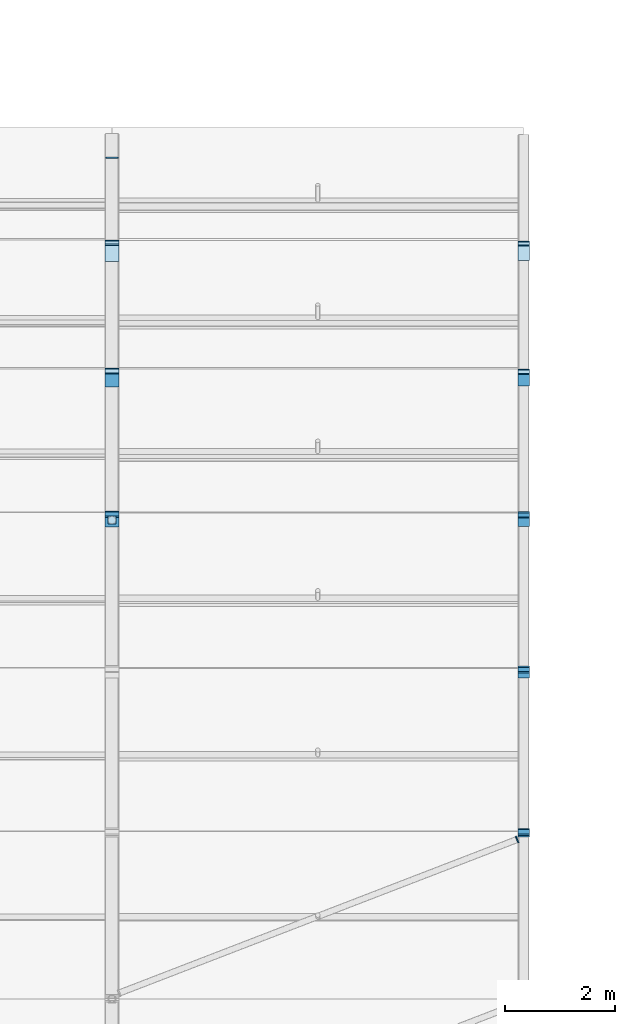
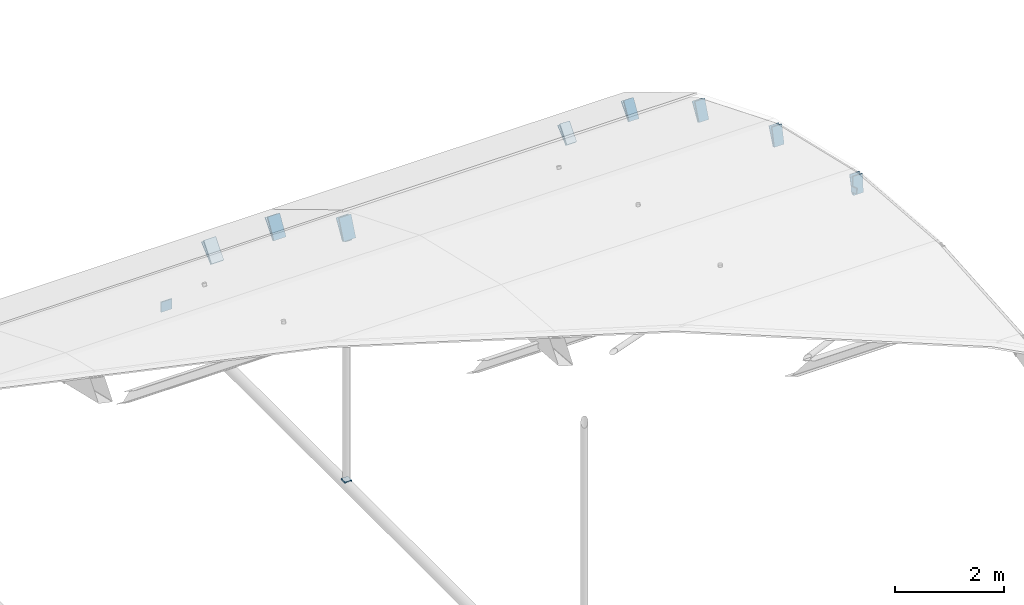
# One storey, part 55 of 77: 20 plates.
"""IFC4 building model written with IfcOpenShell, lengths in metres."""

from ifc_helpers import new_model, si_unit, direction, frame, origin, origin_2d, place, context, subcontext, project, spatial, rectangle, extrude, material, layer, layer_set, type_object, element, save


model = new_model("IFC4")

# Units and contexts
model_context = context("Model", 3, precision=1e-05, world=origin(), true_north=direction((0.0, 1.0)))
body_context = subcontext(model_context, "Body", "Model", "MODEL_VIEW")
ifc_project = project(units=[si_unit("LENGTHUNIT", "METRE"), si_unit("AREAUNIT", "SQUARE_METRE"), si_unit("VOLUMEUNIT", "CUBIC_METRE"), si_unit("PLANEANGLEUNIT", "RADIAN"), si_unit("MASSUNIT", "GRAM", prefix="KILO")], contexts=[model_context])

# Site, building, storey
site_placement = place(None, origin())
site = spatial("IfcSite", under=ifc_project, at=site_placement, CompositionType="ELEMENT")
building_placement = place(site_placement, origin())
building = spatial("IfcBuilding", under=site, at=building_placement, Name="Yukiwa Park Conservatory and Herbarium", CompositionType="ELEMENT")
storey_placement = place(building_placement, frame((0.0, 0.0, 13.199951171875)))
storey = spatial("IfcBuildingStorey", under=building, at=storey_placement, Name="L03", CompositionType="ELEMENT", Elevation=13.199951171875)

# Plates
ifc_material_1 = material(Name="Steel Q355D", Category="steel")
ifc_layer_1 = layer(ifc_material_1, 0.02392578125)
ifc_layer_set_1 = layer_set([ifc_layer_1], Name="Steel Q355D")
plate_type_1 = type_object("IfcPlateType", Name="PL-CAP-24", PredefinedType="USERDEFINED", material=ifc_layer_set_1)
for number, where, z_axis, x_axis, name in (
    (1, (52.5, 24.28369140625, 1.556396484375), (0.0, 0.926355609378, -0.376650082934), (-1.0, 0.0, 0.0), "Hollow section end cap plate CAP-RIB08-C09B"),
    (2, (52.5, 24.370361328125, 1.511474609375), (0.0, -0.854787515222, 0.518978134242), (1.0, 0.0, 0.0), "Hollow section end cap plate CAP-RIB08-C10A"),
):
    element("IfcPlate", number, at=place(storey_placement, frame(where, z_axis=z_axis, x_axis=x_axis)), inside=storey, type_object=plate_type_1, Name=name, ObjectType="END CAP PLATE", PredefinedType="USERDEFINED", context=body_context, shape_type="SweptSolid", body=[
        extrude(rectangle(XDim=0.258056640625, YDim=0.4580078125, at=origin_2d()), origin(), (0.0, 0.0, 1.0), 0.02392578125),
    ])
plate_1_placement = place(storey_placement, frame((52.5, 26.8671875, 0.01171875), z_axis=(0.0, 0.857492925713, -0.514495755428), x_axis=(-1.0, 0.0, 0.0)))
element("IfcPlate", 3, at=plate_1_placement, inside=storey, type_object=plate_type_1, Name="Hollow section end cap plate CAP-RIB08-C10B", ObjectType="END CAP PLATE", PredefinedType="USERDEFINED", context=body_context, shape_type="SweptSolid", body=[
    extrude(rectangle(XDim=0.258056640625, YDim=0.4580078125, at=origin_2d()), origin(), (0.0, 0.0, 1.0), 0.024169921875),
])
for number, where, z_axis, x_axis, name in (
    (4, (52.5, 26.946044921875, -0.046142578125), (0.0, -0.76570486479, 0.643192086423), (1.0, 0.0, 0.0), "Hollow section end cap plate CAP-RIB08-C11A"),
    (5, (52.5, 29.182373046875, -1.912353515625), (0.0, 0.76570486479, -0.643192086423), (-1.0, 0.0, 0.0), "Hollow section end cap plate CAP-RIB08-C11B"),
    (6, (52.5, 29.251220703125, -1.981689453125), (0.0, -0.659940990637, 0.751317435494), (1.0, 0.0, 0.0), "Hollow section end cap plate CAP-RIB08-C12A"),
):
    element("IfcPlate", number, at=place(storey_placement, frame(where, z_axis=z_axis, x_axis=x_axis)), inside=storey, type_object=plate_type_1, Name=name, ObjectType="END CAP PLATE", PredefinedType="USERDEFINED", context=body_context, shape_type="SweptSolid", body=[
        extrude(rectangle(XDim=0.258056640625, YDim=0.4580078125, at=origin_2d()), origin(), (0.0, 0.0, 1.0), 0.02392578125),
    ])
plate_2_placement = place(storey_placement, frame((60.0, 18.561767578125, 3.37060546875), z_axis=(0.0, 0.997458699831, -0.071247049988), x_axis=(-1.0, 0.0, 0.0)))
element("IfcPlate", 7, at=plate_2_placement, inside=storey, type_object=plate_type_1, Name="Hollow section end cap plate CAP-RIB09-C07B", ObjectType="END CAP PLATE", PredefinedType="USERDEFINED", context=body_context, shape_type="SweptSolid", body=[
    extrude(rectangle(XDim=0.2080078125, YDim=0.407958984375, at=origin_2d()), origin(), (0.0, 0.0, 1.0), 0.02392578125),
])
plate_3_placement = place(storey_placement, frame((60.0, 18.658203125, 3.354248046875), z_axis=(0.0, -0.972479178012, 0.232989803065), x_axis=(1.0, 0.0, 0.0)))
element("IfcPlate", 8, at=plate_3_placement, inside=storey, type_object=plate_type_1, Name="Hollow section end cap plate CAP-RIB09-C08A", ObjectType="END CAP PLATE", PredefinedType="USERDEFINED", context=body_context, shape_type="SweptSolid", body=[
    extrude(rectangle(XDim=0.2080078125, YDim=0.407958984375, at=origin_2d()), origin(), (0.0, 0.0, 1.0), 0.024169921875),
])
for number, where, z_axis, x_axis, name in (
    (9, (60.0, 21.492919921875, 2.68505859375), (0.0, 0.974732318528, -0.223376156329), (-1.0, 0.0, 0.0), "Hollow section end cap plate CAP-RIB09-C08B"),
    (10, (60.0, 21.585693359375, 2.654052734375), (0.0, -0.926355609378, 0.376650082934), (1.0, 0.0, 0.0), "Hollow section end cap plate CAP-RIB09-C09A"),
    (11, (60.0, 24.28369140625, 1.556396484375), (0.0, 0.926355609378, -0.376650082934), (-1.0, 0.0, 0.0), "Hollow section end cap plate CAP-RIB09-C09B"),
    (12, (60.0, 24.370361328125, 1.511474609375), (0.0, -0.854787515222, 0.518978134242), (1.0, 0.0, 0.0), "Hollow section end cap plate CAP-RIB09-C10A"),
):
    element("IfcPlate", number, at=place(storey_placement, frame(where, z_axis=z_axis, x_axis=x_axis)), inside=storey, type_object=plate_type_1, Name=name, ObjectType="END CAP PLATE", PredefinedType="USERDEFINED", context=body_context, shape_type="SweptSolid", body=[
        extrude(rectangle(XDim=0.2080078125, YDim=0.407958984375, at=origin_2d()), origin(), (0.0, 0.0, 1.0), 0.02392578125),
    ])
plate_4_placement = place(storey_placement, frame((60.0, 26.8671875, 0.01171875), z_axis=(0.0, 0.857492925713, -0.514495755428), x_axis=(-1.0, 0.0, 0.0)))
element("IfcPlate", 13, at=plate_4_placement, inside=storey, type_object=plate_type_1, Name="Hollow section end cap plate CAP-RIB09-C10B", ObjectType="END CAP PLATE", PredefinedType="USERDEFINED", context=body_context, shape_type="SweptSolid", body=[
    extrude(rectangle(XDim=0.2080078125, YDim=0.407958984375, at=origin_2d()), origin(), (0.0, 0.0, 1.0), 0.024169921875),
])
for number, where, z_axis, x_axis, name in (
    (14, (60.0, 26.946044921875, -0.046142578125), (0.0, -0.76570486479, 0.643192086423), (1.0, 0.0, 0.0), "Hollow section end cap plate CAP-RIB09-C11A"),
    (15, (60.0, 29.182373046875, -1.912353515625), (0.0, 0.76570486479, -0.643192086423), (-1.0, 0.0, 0.0), "Hollow section end cap plate CAP-RIB09-C11B"),
    (16, (60.0, 29.251220703125, -1.981689453125), (0.0, -0.659940990637, 0.751317435494), (1.0, 0.0, 0.0), "Hollow section end cap plate CAP-RIB09-C12A"),
):
    element("IfcPlate", number, at=place(storey_placement, frame(where, z_axis=z_axis, x_axis=x_axis)), inside=storey, type_object=plate_type_1, Name=name, ObjectType="END CAP PLATE", PredefinedType="USERDEFINED", context=body_context, shape_type="SweptSolid", body=[
        extrude(rectangle(XDim=0.2080078125, YDim=0.407958984375, at=origin_2d()), origin(), (0.0, 0.0, 1.0), 0.02392578125),
    ])
plate_5_placement = place(storey_placement, frame((59.87255859375, 18.498779296875, 3.327880859375), z_axis=(0.930813712439, 0.364231452693, -0.030352621058), x_axis=(-0.364399348581, 0.931242779706, 0.0)))
element("IfcPlate", 17, at=plate_5_placement, inside=storey, type_object=plate_type_1, Name="Hollow section end cap plate CAP-VWBR-B8-F6B", ObjectType="END CAP PLATE", PredefinedType="USERDEFINED", context=body_context, shape_type="SweptSolid", body=[
    extrude(rectangle(XDim=0.122314453125, YDim=0.122314453125, at=origin_2d()), origin(), (0.0, 0.0, 1.0), 0.024169921875),
])
ifc_material_2 = material(Name="Steel Q355D", Category="steel")
ifc_layer_2 = layer(ifc_material_2, 0.02392578125)
ifc_layer_set_2 = layer_set([ifc_layer_2], Name="Steel Q355D")
plate_type_2 = type_object("IfcPlateType", Name="PL-CAP-24-INT", PredefinedType="USERDEFINED", material=ifc_layer_set_2)
plate_6_placement = place(storey_placement, frame((52.5, 30.910888671875, -4.199951171875), z_axis=(0.0, 1.0, 0.0), x_axis=(-1.0, 0.0, 0.0)))
element("IfcPlate", 18, at=plate_6_placement, inside=storey, type_object=plate_type_2, Name="Hollow section end cap plate CAP-VTIE-08-N", ObjectType="END CAP PLATE", PredefinedType="USERDEFINED", context=body_context, shape_type="SweptSolid", body=[
    extrude(rectangle(XDim=0.22705078125, YDim=0.22705078125, at=origin_2d()), origin(), (0.0, 0.0, 1.0), 0.024169921875),
])
plate_7_placement = place(storey_placement, frame((52.5, 24.320556640625, -4.087890625), z_axis=(0.0, 0.0, -1.0), x_axis=(1.0, 0.0, 0.0)))
element("IfcPlate", 19, at=plate_7_placement, inside=storey, type_object=plate_type_2, Name="Hollow section end cap plate CAP-VHNG-08-9B", ObjectType="END CAP PLATE", PredefinedType="USERDEFINED", context=body_context, shape_type="SweptSolid", body=[
    extrude(rectangle(XDim=0.147705078125, YDim=0.147705078125, at=origin_2d()), origin(), (0.0, 0.0, 1.0), 0.024169921875),
])
plate_8_placement = place(storey_placement, frame((52.5, 24.320556640625, 1.282470703125), z_axis=(0.0, 0.0, 1.0), x_axis=(1.0, 0.0, 0.0)))
element("IfcPlate", 20, at=plate_8_placement, inside=storey, type_object=plate_type_2, Name="Hollow section end cap plate CAP-VHNG-08-9T", ObjectType="END CAP PLATE", PredefinedType="USERDEFINED", context=body_context, shape_type="SweptSolid", body=[
    extrude(rectangle(XDim=0.147705078125, YDim=0.147705078125, at=origin_2d()), origin(), (0.0, 0.0, 1.0), 0.02392578125),
])

save(model, "model.ifc")
